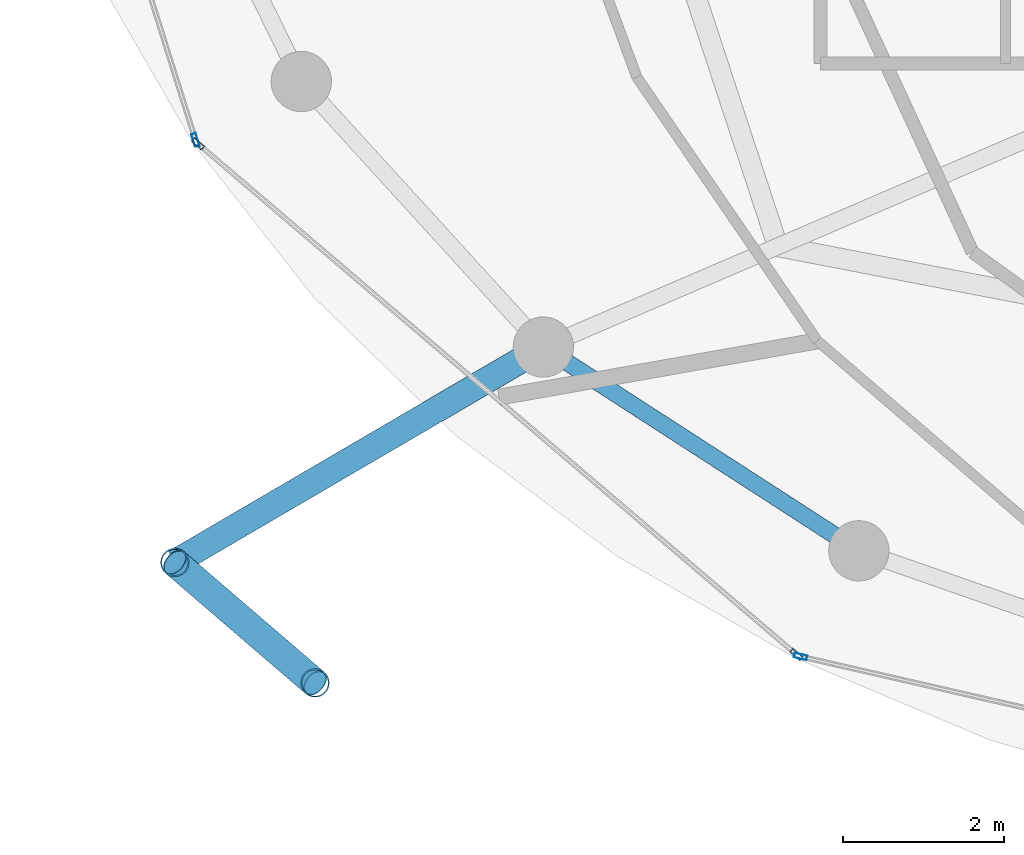
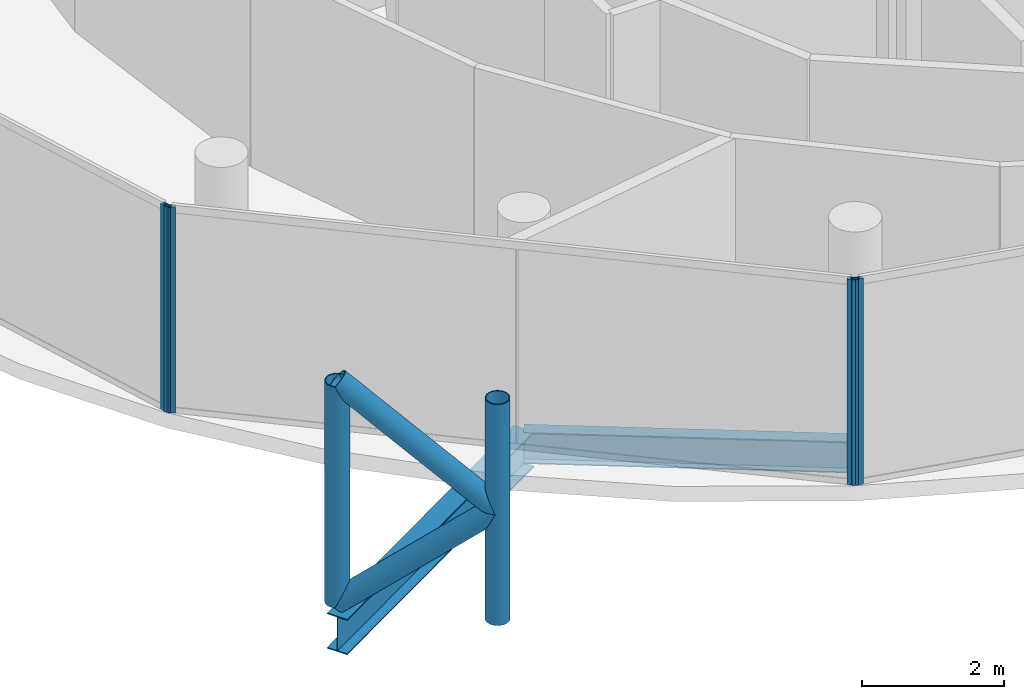
# One storey, part 2 of 24: 8 members, 2 beams, 3 elements without a shape of their own.
"""IFC4 building model written with IfcOpenShell, lengths in metres."""

from ifc_helpers import new_model, si_unit, direction, frame, origin, origin_2d, place, context, subcontext, project, spatial, hollow_rectangle, hollow_circle, i_section, extrude, material, layer, layer_set, material_profile, profile_set, type_object, element, aggregate, save


model = new_model("IFC4")

# Units and contexts
model_context = context("Model", 3, precision=1e-05, world=origin(), true_north=direction((0.0, 1.0)))
body_context = subcontext(model_context, "Body", "Model", "MODEL_VIEW")
ifc_project = project(units=[si_unit("LENGTHUNIT", "METRE"), si_unit("AREAUNIT", "SQUARE_METRE"), si_unit("VOLUMEUNIT", "CUBIC_METRE"), si_unit("PLANEANGLEUNIT", "RADIAN"), si_unit("MASSUNIT", "GRAM", prefix="KILO")], contexts=[model_context])

# Site, building, storey
site_placement = place(None, origin())
site = spatial("IfcSite", under=ifc_project, at=site_placement, CompositionType="ELEMENT")
building_placement = place(site_placement, origin())
building = spatial("IfcBuilding", under=site, at=building_placement, Name="Nuhasar Tower", CompositionType="ELEMENT")
storey_placement = place(building_placement, frame((0.0, 0.0, 259.39990234375)))
storey = spatial("IfcBuildingStorey", under=building, at=storey_placement, Name="L64", CompositionType="ELEMENT", Elevation=259.39990234375)

# Beams
ifc_material_1 = material(Name="Steel S355", Category="steel")
ifc_material_profile_1 = material_profile(ifc_material_1, i_section(OverallWidth=0.2099609375, OverallDepth=0.537109375, WebThickness=0.010986328125, FlangeThickness=0.017333984375, at=origin_2d()), Name="W21X68")
ifc_profile_set_1 = profile_set([ifc_material_profile_1], Name="Steel S355")
beam_type_1 = type_object("IfcBeamType", Name="BM-RING-W21X68", PredefinedType="SPANDREL", material=ifc_profile_set_1)
beam_1_placement = place(storey_placement, frame((25.60009765625, 15.52197265625, -0.52880859375), z_axis=(0.840025485934, -0.542546940809, 0.0), x_axis=(0.542546940809, 0.840025485934, 0.0)))
element("IfcBeam", 1, at=beam_1_placement, inside=storey, type_object=beam_type_1, Name="L64 Perimeter Ring Spandrel 16", PredefinedType="SPANDREL", context=body_context, shape_type="SweptSolid", body=[
    extrude(i_section(OverallWidth=0.2099609375, OverallDepth=0.537109375, WebThickness=0.010986328125, FlangeThickness=0.017333984375, at=origin_2d()), origin(), (0.0, 0.0, 1.0), 4.67236328125),
])
ifc_material_profile_2 = material_profile(ifc_material_1, i_section(OverallWidth=0.323974609375, OverallDepth=0.611083984375, WebThickness=0.0126953125, FlangeThickness=0.01904296875, at=origin_2d()), Name="W24X104")
ifc_profile_set_2 = profile_set([ifc_material_profile_2], Name="Steel S355")
beam_type_2 = type_object("IfcBeamType", Name="BM-TIE-W24X104", PredefinedType="BEAM", material=ifc_profile_set_2)
beam_2_placement = place(storey_placement, frame((25.60009765625, 15.52197265625, -0.56591796875), z_axis=(-0.863291554686, -0.504705549413, 0.0), x_axis=(0.504705549413, -0.863291554686, 0.0)))
element("IfcBeam", 2, at=beam_2_placement, inside=storey, type_object=beam_type_2, Name="L64 Exoskeleton Node Tie Beam 08", PredefinedType="BEAM", context=body_context, shape_type="SweptSolid", body=[
    extrude(i_section(OverallWidth=0.323974609375, OverallDepth=0.611083984375, WebThickness=0.0126953125, FlangeThickness=0.01904296875, at=origin_2d()), origin(), (0.0, 0.0, 1.0), 5.309814453125),
])

# Curtain wall, member
ifc_material_2 = material(Name="Aluminium 6063-T6", Category="aluminium")
ifc_layer = layer(ifc_material_2, 0.18994140625)
ifc_layer_set = layer_set([ifc_layer], Name="Aluminium 6063-T6")
curtain_wall_type = type_object("IfcCurtainWallType", Name="CW-Z4-PEN", PredefinedType="NOTDEFINED", material=ifc_layer_set)
curtain_wall_1_placement = place(storey_placement, origin())
curtain_wall_1 = element("IfcCurtainWall", 3, at=curtain_wall_1_placement, inside=storey, type_object=curtain_wall_type, Name="L64 Unitised Curtain Wall 07", PredefinedType="NOTDEFINED")
ifc_material_profile_3 = material_profile(ifc_material_2, hollow_rectangle(XDim=0.06005859375, YDim=0.1650390625, WallThickness=0.0048828125, at=origin_2d()), Name="CWM-5")
ifc_profile_set_3 = profile_set([ifc_material_profile_3], Name="Aluminium 6063-T6")
member_type_1 = type_object("IfcMemberType", Name="CW-MUL-S5", PredefinedType="MULLION", material=ifc_profile_set_3)
member_1_placement = place(storey_placement, frame((21.27197265625, 18.0986328125, 0.0), z_axis=(0.0, 0.0, 1.0), x_axis=(0.954078526601, 0.299556614146, 0.0)))
member_1 = element("IfcMember", 4, at=member_1_placement, type_object=member_type_1, Name="CW-Z4 mullion 2", PredefinedType="MULLION", context=body_context, shape_type="SweptSolid", body=[
    extrude(hollow_rectangle(XDim=0.06005859375, YDim=0.1650390625, WallThickness=0.0048828125, at=origin_2d()), origin(), (0.0, 0.0, 1.0), 3.5400390625),
])
aggregate(curtain_wall_1, [member_1])

# Curtain wall, members
curtain_wall_2_placement = place(storey_placement, origin())
curtain_wall_2 = element("IfcCurtainWall", 5, at=curtain_wall_2_placement, inside=storey, type_object=curtain_wall_type, Name="L64 Unitised Curtain Wall 08", PredefinedType="NOTDEFINED")
member_2_placement = place(storey_placement, frame((21.3037109375, 18.050537109375, 0.0), z_axis=(0.0, 0.0, 1.0), x_axis=(0.649141996205, 0.760667252327, 0.0)))
member_2 = element("IfcMember", 6, at=member_2_placement, type_object=member_type_1, Name="CW-Z4 mullion 1", PredefinedType="MULLION", context=body_context, shape_type="SweptSolid", body=[
    extrude(hollow_rectangle(XDim=0.06005859375, YDim=0.1650390625, WallThickness=0.0048828125, at=origin_2d()), origin(), (0.0, 0.0, 1.0), 3.5400390625),
])
member_3_placement = place(storey_placement, frame((28.7470703125, 11.698486328125, 0.0), z_axis=(0.0, 0.0, 1.0), x_axis=(0.649141996205, 0.760667252327, 0.0)))
member_3 = element("IfcMember", 7, at=member_3_placement, type_object=member_type_1, Name="CW-Z4 mullion 2", PredefinedType="MULLION", context=body_context, shape_type="SweptSolid", body=[
    extrude(hollow_rectangle(XDim=0.06005859375, YDim=0.1650390625, WallThickness=0.0048828125, at=origin_2d()), origin(), (0.0, 0.0, 1.0), 3.5400390625),
])
aggregate(curtain_wall_2, [member_2, member_3])

# Curtain wall, member
curtain_wall_3_placement = place(storey_placement, origin())
curtain_wall_3 = element("IfcCurtainWall", 8, at=curtain_wall_3_placement, inside=storey, type_object=curtain_wall_type, Name="L64 Unitised Curtain Wall 09", PredefinedType="NOTDEFINED")
member_4_placement = place(storey_placement, frame((28.79931640625, 11.67236328125, 0.0), z_axis=(0.0, 0.0, 1.0), x_axis=(0.222889487645, 0.97484371891, 0.0)))
member_4 = element("IfcMember", 9, at=member_4_placement, type_object=member_type_1, Name="CW-Z4 mullion 1", PredefinedType="MULLION", context=body_context, shape_type="SweptSolid", body=[
    extrude(hollow_rectangle(XDim=0.06005859375, YDim=0.1650390625, WallThickness=0.0048828125, at=origin_2d()), origin(), (0.0, 0.0, 1.0), 3.5400390625),
])
aggregate(curtain_wall_3, [member_4])

# Members
ifc_material_3 = material(Name="Steel S460", Category="steel")
ifc_material_profile_4 = material_profile(ifc_material_3, hollow_circle(Radius=0.177734375, WallThickness=0.015869140625, at=origin_2d()), Name="HSS355.6X15.9")
ifc_profile_set_4 = profile_set([ifc_material_profile_4], Name="Steel S460")
member_type_2 = type_object("IfcMemberType", Name="EXO-BRONZE-356", PredefinedType="BRACE", material=ifc_profile_set_4)
for number, where, z_axis, x_axis, name in (
    (10, (21.01611328125, 12.842041015625, 0.0), (0.0, 0.0, 1.0), (1.0, 0.0, 0.0), "L64 Exoskeleton Chord Column EC-08A"),
    (11, (22.760009765625, 11.343017578125, 0.0), (0.0, 0.0, 1.0), (1.0, 0.0, 0.0), "L64 Exoskeleton Chord Column EC-08B"),
):
    element("IfcMember", number, at=place(storey_placement, frame(where, z_axis=z_axis, x_axis=x_axis)), inside=storey, type_object=member_type_2, Name=name, PredefinedType="BRACE", context=body_context, shape_type="SweptSolid", body=[
        extrude(hollow_circle(Radius=0.177734375, WallThickness=0.015869140625, at=origin_2d()), origin(), (0.0, 0.0, 1.0), 3.800048828125),
    ])
member_5_placement = place(storey_placement, frame((21.01611328125, 12.842041015625, 0.0), z_axis=(0.584594747408, -0.50250759472, 0.636973389203), x_axis=(0.65185738425, 0.758341579104, 0.0)))
element("IfcMember", 12, at=member_5_placement, inside=storey, type_object=member_type_2, Name="L64 Bronze Diagrid Brace W1-08", PredefinedType="BRACE", context=body_context, shape_type="SweptSolid", body=[
    extrude(hollow_circle(Radius=0.177734375, WallThickness=0.015869140625, at=origin_2d()), origin(), (0.0, 0.0, 1.0), 2.983154296875),
])
member_6_placement = place(storey_placement, frame((22.760009765625, 11.343017578125, 1.900146484375), z_axis=(-0.584625223306, 0.502533791278, 0.636924749792), x_axis=(-0.65185738425, -0.758341579104, 0.0)))
element("IfcMember", 13, at=member_6_placement, inside=storey, type_object=member_type_2, Name="L64 Bronze Diagrid Brace W2-08", PredefinedType="BRACE", context=body_context, shape_type="SweptSolid", body=[
    extrude(hollow_circle(Radius=0.177734375, WallThickness=0.015869140625, at=origin_2d()), origin(), (0.0, 0.0, 1.0), 2.98291015625),
])

save(model, "model.ifc")
